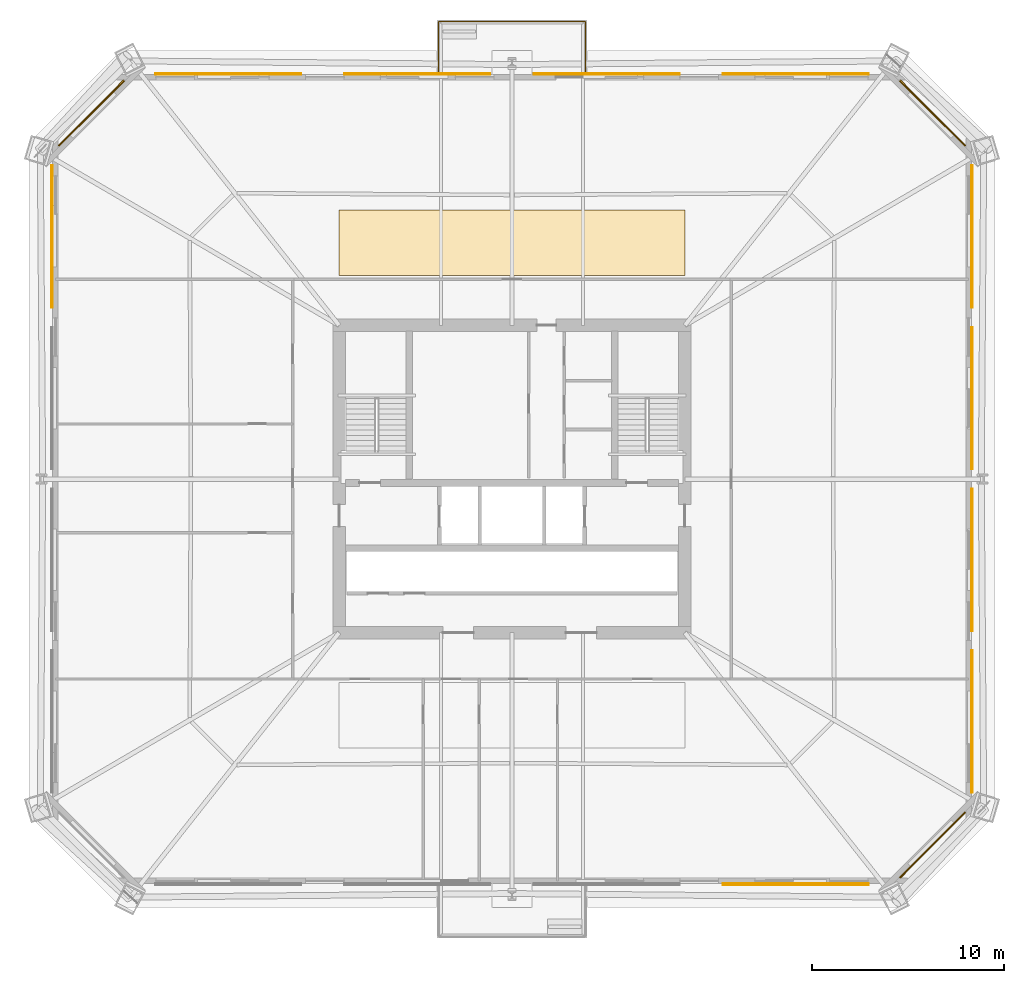
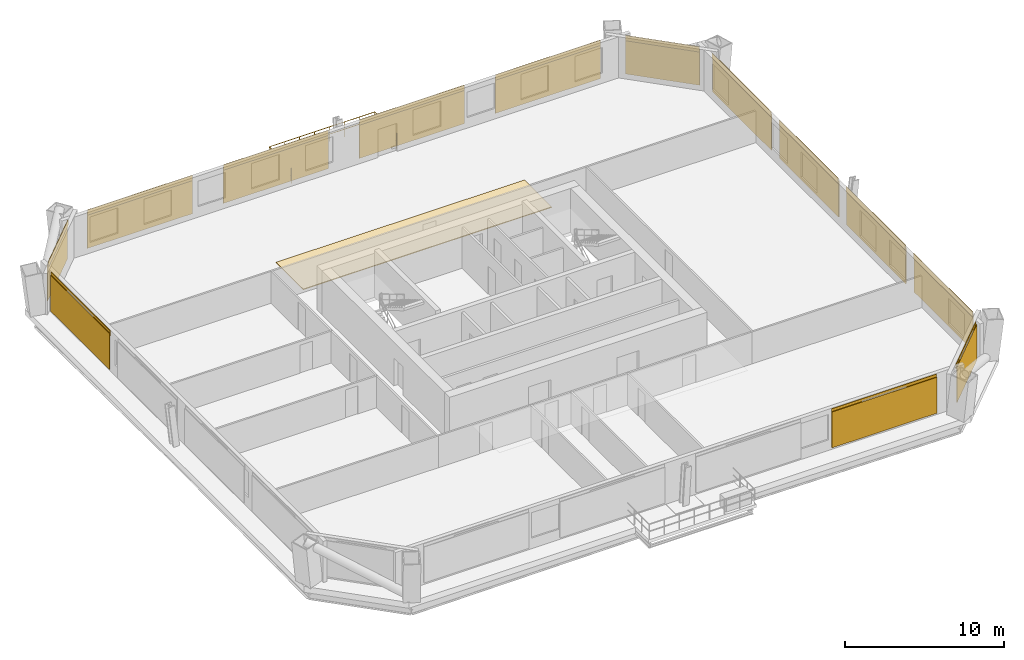
# One storey, part 8 of 8: 14 coverings, 13 shading devices, 1 railing.
"""IFC4 building model written with IfcOpenShell, lengths in metres."""

import ifcopenshell
import ifcopenshell.guid

model = None  # the IFC model being written
_history = None  # IfcOwnerHistory: only IFC2X3 demands one
_inside = {}  # id of a spatial element -> (the spatial element, [elements in it])
_under = {}  # id of a project, library or spatial element -> (it, [spatial elements below it])
_declared = {}  # id of a project -> (the project, [libraries it declares])
_typed = {}  # id of a type object -> (the type object, [elements of that type])
_made_of = {}  # id of a material, layer set ... -> (it, [elements and type objects made of it])


def new_model(schema):
    """Start an empty IFC model of exactly this schema.

    Asked for "IFC4X3", IfcOpenShell would pick the latest addendum, in which some entities
    have other attributes; the version numbers below select the first issue.
    IFC2X3 requires an IfcOwnerHistory on every rooted entity: one is made here for all.
    """
    global model, _history
    if schema == "IFC4X3":
        model = ifcopenshell.file(schema_version=(4, 3, 0, 0))
    else:
        model = ifcopenshell.file(schema=schema)
    _inside.clear()
    _under.clear()
    _declared.clear()
    _typed.clear()
    _made_of.clear()
    _history = None
    if model.schema == "IFC2X3":
        org = make("IfcOrganization", Name="unknown")
        user = make(
            "IfcPersonAndOrganization",
            ThePerson=make("IfcPerson", FamilyName="unknown"),
            TheOrganization=org,
        )
        app = make(
            "IfcApplication",
            ApplicationDeveloper=org,
            Version="unknown",
            ApplicationFullName="unknown",
            ApplicationIdentifier="unknown",
        )
        _history = make(
            "IfcOwnerHistory",
            OwningUser=user,
            OwningApplication=app,
            ChangeAction="ADDED",
            CreationDate=0,
        )
    return model


def make(cls, **values):
    """One entity of the class cls with the attributes given. An attribute that is None is left unset."""
    return model.create_entity(
        cls, **{name: value for name, value in values.items() if value is not None}
    )


def rooted(cls, **values):
    """An entity with a GlobalId (a new one), such as an element, a storey or a relation."""
    return make(cls, GlobalId=ifcopenshell.guid.new(), OwnerHistory=_history, **values)


def si_unit(unit_type, name, prefix=None):
    """IfcSIUnit, for example si_unit("LENGTHUNIT", "METRE", prefix="MILLI")."""
    return make("IfcSIUnit", UnitType=unit_type, Prefix=prefix, Name=name)


def assignment(units):
    """IfcUnitAssignment: the units of a project."""
    return None if units is None else make("IfcUnitAssignment", Units=units)


def point(xyz):
    """IfcCartesianPoint."""
    return None if xyz is None else make("IfcCartesianPoint", Coordinates=xyz)


def direction(xyz):
    """IfcDirection."""
    return None if xyz is None else make("IfcDirection", DirectionRatios=xyz)


def frame(location, z_axis=None, x_axis=None):
    """IfcAxis2Placement3D, a coordinate frame: its origin and axes. An axis left out is left unset."""
    return make(
        "IfcAxis2Placement3D",
        Location=point(location),
        Axis=direction(z_axis),
        RefDirection=direction(x_axis),
    )


def frame_2d(location, x_axis=None):
    """IfcAxis2Placement2D, a coordinate frame in the plane: its origin and x axis."""
    return make(
        "IfcAxis2Placement2D", Location=point(location), RefDirection=direction(x_axis)
    )


def origin():
    """The frame at (0, 0, 0) with its axes left unset."""
    return frame((0.0, 0.0, 0.0))


def origin_2d():
    """The frame at (0, 0) in the plane with its x axis left unset."""
    return frame_2d((0.0, 0.0))


def place(relative_to, where):
    """IfcLocalPlacement: puts the frame where relative to a parent placement (None: the world)."""
    return make(
        "IfcLocalPlacement", PlacementRelTo=relative_to, RelativePlacement=where
    )


def context(
    kind, dimensions, precision=None, world=None, true_north=None, identifier=None
):
    """IfcGeometricRepresentationContext, for example the 3D "Model" context."""
    return make(
        "IfcGeometricRepresentationContext",
        ContextIdentifier=identifier,
        ContextType=kind,
        CoordinateSpaceDimension=dimensions,
        Precision=precision,
        WorldCoordinateSystem=world,
        TrueNorth=true_north,
    )


def subcontext(parent, identifier, kind, view, scale=None):
    """IfcGeometricRepresentationSubContext, for example "Body" below "Model"."""
    return make(
        "IfcGeometricRepresentationSubContext",
        ContextIdentifier=identifier,
        ContextType=kind,
        ParentContext=parent,
        TargetScale=scale,
        TargetView=view,
    )


def project(units=None, contexts=None):
    """IfcProject with its units and contexts."""
    return rooted(
        "IfcProject",
        Name="project",
        RepresentationContexts=contexts,
        UnitsInContext=assignment(units),
    )


def spatial(cls, under=None, at=None, **own):
    """A site, building, storey or space (cls), placed at a placement, below another one or the project."""
    s = rooted(cls, ObjectPlacement=at, **own)
    if under is not None:
        _under.setdefault(under.id(), (under, []))[1].append(s)
    return s


def polyline(points):
    """IfcPolyline through the points."""
    return make("IfcPolyline", Points=[point(p) for p in points])


def profile(cls, at=None, kind="AREA", **sizes):
    """A parametric profile (cls). Its sizes go by their IFC names, for example OverallWidth=200.0."""
    return make(cls, ProfileType=kind, Position=at, **sizes)


def rectangle(**sizes):
    """IfcRectangleProfileDef."""
    return profile("IfcRectangleProfileDef", **sizes)


def circle(**sizes):
    """IfcCircleProfileDef."""
    return profile("IfcCircleProfileDef", **sizes)


def outline(outer, holes=None, kind="AREA"):
    """IfcArbitraryClosedProfileDef: a profile drawn as a closed curve; with holes, ...WithVoids."""
    if holes is None:
        return make("IfcArbitraryClosedProfileDef", ProfileType=kind, OuterCurve=outer)
    return make(
        "IfcArbitraryProfileDefWithVoids",
        ProfileType=kind,
        OuterCurve=outer,
        InnerCurves=holes,
    )


def extrude(swept, where, along, depth):
    """IfcExtrudedAreaSolid: the profile swept, set in the frame where, extruded along a direction by depth."""
    return make(
        "IfcExtrudedAreaSolid",
        SweptArea=swept,
        Position=where,
        ExtrudedDirection=direction(along),
        Depth=depth,
    )


def shape(context_of_items, identifier, shape_type, items):
    """IfcShapeRepresentation: the items that make up one representation, for example the "Body"."""
    return make(
        "IfcShapeRepresentation",
        ContextOfItems=context_of_items,
        RepresentationIdentifier=identifier,
        RepresentationType=shape_type,
        Items=items,
    )


def material(Name=None, Category=None):
    """IfcMaterial."""
    return make("IfcMaterial", Name=Name, Category=Category)


def layer(
    of_material, thickness, ventilated=None, Name=None, Category=None, Priority=None
):
    """IfcMaterialLayer: one layer of a wall or slab, of a material (None: an air gap)."""
    return make(
        "IfcMaterialLayer",
        Material=of_material,
        LayerThickness=thickness,
        IsVentilated=ventilated,
        Name=Name,
        Category=Category,
        Priority=Priority,
    )


def layer_set(layers, Name=None):
    """IfcMaterialLayerSet."""
    return make("IfcMaterialLayerSet", MaterialLayers=layers, LayerSetName=Name)


def made_of(thing, what):
    """Note that an element or type object is made of a material, layer set ...; save() writes the relation."""
    if what is not None:
        _made_of.setdefault(what.id(), (what, []))[1].append(thing)
    return thing


def type_object(cls, material=None, **own):
    """A type object (cls), such as IfcWallType, which elements share."""
    return made_of(rooted(cls, **own), material)


def element(
    cls,
    number,
    at=None,
    inside=None,
    cuts=None,
    type_object=None,
    material=None,
    context=None,
    identifier="Body",
    shape_type=None,
    held_by="IfcProductDefinitionShape",
    body=None,
    shapes=None,
    **own,
):
    """One element of the class cls, such as IfcWall. Its Tag is "e" and its number.

    at: its placement. inside: the storey or other place that contains it. cuts: it is an
    opening in that element (IfcRelVoidsElement). A single representation is given by context,
    identifier, shape_type and body (its items); several are given by shapes. held_by: the class
    of the entity that holds the representations. save() writes the other relations.
    """
    e = rooted(cls, Tag="e%d" % number, ObjectPlacement=at, **own)
    if body is not None:
        shapes = [shape(context, identifier, shape_type, body)]
    if shapes is not None:
        e.Representation = make(held_by, Representations=shapes)
    if inside is not None:
        _inside.setdefault(inside.id(), (inside, []))[1].append(e)
    if cuts is not None:
        rooted(
            "IfcRelVoidsElement", RelatingBuildingElement=cuts, RelatedOpeningElement=e
        )
    if type_object is not None:
        _typed.setdefault(type_object.id(), (type_object, []))[1].append(e)
    return made_of(e, material)


def aggregate(whole, parts):
    """IfcRelAggregates: a whole, such as a stair, and the parts it consists of."""
    return rooted("IfcRelAggregates", RelatingObject=whole, RelatedObjects=parts)


def save(model, path):
    """Write the relations noted so far, then the file.

    IfcRelAggregates (storeys below a building ...), IfcRelContainedInSpatialStructure (elements
    in a storey), IfcRelDefinesByType, IfcRelAssociatesMaterial and IfcRelDeclares: one each for
    every whole, place, type object, material and project.
    """
    for whole, parts in _under.values():
        aggregate(whole, parts)
    for where, things in _inside.values():
        rooted(
            "IfcRelContainedInSpatialStructure",
            RelatedElements=things,
            RelatingStructure=where,
        )
    for kind, things in _typed.values():
        rooted("IfcRelDefinesByType", RelatedObjects=things, RelatingType=kind)
    for what, things in _made_of.values():
        rooted("IfcRelAssociatesMaterial", RelatedObjects=things, RelatingMaterial=what)
    for by, libraries in _declared.values():
        rooted("IfcRelDeclares", RelatingContext=by, RelatedDefinitions=libraries)
    model.write(path)


model = new_model("IFC4")

# Units and contexts
model_context = context("Model", 3, precision=1e-05, world=origin(), true_north=direction((0.0, 1.0)))
body_context = subcontext(model_context, "Body", "Model", "MODEL_VIEW")
ifc_project = project(units=[si_unit("LENGTHUNIT", "METRE"), si_unit("AREAUNIT", "SQUARE_METRE"), si_unit("VOLUMEUNIT", "CUBIC_METRE"), si_unit("PLANEANGLEUNIT", "RADIAN"), si_unit("MASSUNIT", "GRAM", prefix="KILO")], contexts=[model_context])

# Site, building, storey
site_placement = place(None, origin())
site = spatial("IfcSite", under=ifc_project, at=site_placement, CompositionType="ELEMENT")
building_placement = place(site_placement, origin())
building = spatial("IfcBuilding", under=site, at=building_placement, Name="Caelvoria Tower", CompositionType="ELEMENT")
storey_placement = place(building_placement, frame((0.0, 0.0, 46.0)))
storey = spatial("IfcBuildingStorey", under=building, at=storey_placement, Name="L11", CompositionType="ELEMENT", Elevation=46.0)

# Railing
ifc_material_1 = material(Name="Bronze Anodised Aluminium and Stainless Steel", Category="steel")
railing_type = type_object("IfcRailingType", Name="Exterior Terrace and Balcony Guardrail 1150", PredefinedType="GUARDRAIL", material=ifc_material_1)
railing_placement = place(storey_placement, frame((42.179931640625, 53.06005859375, 0.0)))
element("IfcRailing", 1, at=railing_placement, inside=storey, type_object=railing_type, Name="Tree Balcony Guardrail TB-L11-N", PredefinedType="GUARDRAIL", context=body_context, shape_type="SweptSolid", body=[
    extrude(circle(Radius=0.02392578125, at=origin_2d()), frame((0.0, 0.0, 1.1259765625), z_axis=(0.0, 1.0, 0.0), x_axis=(-1.0, 0.0, 0.0)), (0.0, 0.0, 1.0), 2.760009765625),
    extrude(circle(Radius=0.02392578125, at=origin_2d()), frame((0.0, 0.0, 0.574951171875), z_axis=(0.0, 1.0, 0.0), x_axis=(-1.0, 0.0, 0.0)), (0.0, 0.0, 1.0), 2.760009765625),
    extrude(circle(Radius=0.02392578125, at=origin_2d()), frame((0.0, 2.760009765625, 1.1259765625), z_axis=(1.0, 0.0, 0.0), x_axis=(0.0, 1.0, 0.0)), (0.0, 0.0, 1.0), 7.64013671875),
    extrude(circle(Radius=0.02392578125, at=origin_2d()), frame((0.0, 2.760009765625, 0.574951171875), z_axis=(1.0, 0.0, 0.0), x_axis=(0.0, 1.0, 0.0)), (0.0, 0.0, 1.0), 7.64013671875),
    extrude(circle(Radius=0.02392578125, at=origin_2d()), frame((7.64013671875, 2.760009765625, 1.1259765625), z_axis=(0.0, -1.0, 0.0), x_axis=(1.0, 0.0, 0.0)), (0.0, 0.0, 1.0), 2.760009765625),
    extrude(circle(Radius=0.02392578125, at=origin_2d()), frame((7.64013671875, 2.760009765625, 0.574951171875), z_axis=(0.0, -1.0, 0.0), x_axis=(1.0, 0.0, 0.0)), (0.0, 0.0, 1.0), 2.760009765625),
    extrude(circle(Radius=0.02099609375, at=origin_2d()), origin(), (0.0, 0.0, 1.0), 1.101806640625),
    extrude(circle(Radius=0.02099609375, at=origin_2d()), frame((0.0, 0.919921875, 0.0)), (0.0, 0.0, 1.0), 1.101806640625),
    extrude(circle(Radius=0.02099609375, at=origin_2d()), frame((0.0, 1.840087890625, 0.0)), (0.0, 0.0, 1.0), 1.101806640625),
    extrude(circle(Radius=0.02099609375, at=origin_2d()), frame((0.0, 2.760009765625, 0.0)), (0.0, 0.0, 1.0), 1.101806640625),
    extrude(circle(Radius=0.02099609375, at=origin_2d()), frame((1.091552734375, 2.760009765625, 0.0)), (0.0, 0.0, 1.0), 1.101806640625),
    extrude(circle(Radius=0.02099609375, at=origin_2d()), frame((2.182861328125, 2.760009765625, 0.0)), (0.0, 0.0, 1.0), 1.101806640625),
    extrude(circle(Radius=0.02099609375, at=origin_2d()), frame((3.2744140625, 2.760009765625, 0.0)), (0.0, 0.0, 1.0), 1.101806640625),
    extrude(circle(Radius=0.02099609375, at=origin_2d()), frame((4.36572265625, 2.760009765625, 0.0)), (0.0, 0.0, 1.0), 1.101806640625),
    extrude(circle(Radius=0.02099609375, at=origin_2d()), frame((5.457275390625, 2.760009765625, 0.0)), (0.0, 0.0, 1.0), 1.101806640625),
    extrude(circle(Radius=0.02099609375, at=origin_2d()), frame((6.548583984375, 2.760009765625, 0.0)), (0.0, 0.0, 1.0), 1.101806640625),
    extrude(circle(Radius=0.02099609375, at=origin_2d()), frame((7.64013671875, 2.760009765625, 0.0)), (0.0, 0.0, 1.0), 1.101806640625),
    extrude(circle(Radius=0.02099609375, at=origin_2d()), frame((7.64013671875, 1.840087890625, 0.0)), (0.0, 0.0, 1.0), 1.101806640625),
    extrude(circle(Radius=0.02099609375, at=origin_2d()), frame((7.64013671875, 0.919921875, 0.0)), (0.0, 0.0, 1.0), 1.101806640625),
    extrude(circle(Radius=0.02099609375, at=origin_2d()), frame((7.64013671875, 0.0, 0.0)), (0.0, 0.0, 1.0), 1.101806640625),
])

# Coverings
ifc_material_2 = material(Name="Perforated Architectural Bronze Cladding Screen", Category="bronze")
ifc_layer_1 = layer(ifc_material_2, 0.0400390625, Name="Perforated Architectural Bronze Cladding Screen")
ifc_layer_set_1 = layer_set([ifc_layer_1], Name="Perforated Bronze Louvre Cladding Band 40 - Perforated Architectural Bronze Cladding Screen")
covering_type_1 = type_object("IfcCoveringType", Name="Perforated Bronze Louvre Cladding Band 40", PredefinedType="CLADDING", material=ifc_layer_set_1)
covering_1_placement = place(storey_placement, frame((60.767578125, 10.927978515625, 2.72998046875), z_axis=(0.0, 0.0, 1.0), x_axis=(1.0, 0.0, 0.0)))
element("IfcCovering", 2, at=covering_1_placement, inside=storey, type_object=covering_type_1, Name="Perforated Bronze Screen Band L11-E0-03", PredefinedType="CLADDING", context=body_context, shape_type="SweptSolid", body=[
    extrude(rectangle(XDim=7.60009765625, YDim=0.0400390625, at=origin_2d()), origin(), (0.0, 0.0, 1.0), 0.39990234375),
])
covering_2_placement = place(storey_placement, frame((67.881591796875, 12.96826171875, 2.72998046875), z_axis=(0.0, 0.0, 1.0), x_axis=(0.707106781187, 0.707106781187, 0.0)))
element("IfcCovering", 3, at=covering_2_placement, inside=storey, type_object=covering_type_1, Name="Perforated Bronze Screen Band L11-E1-00", PredefinedType="CLADDING", context=body_context, shape_type="SweptSolid", body=[
    extrude(rectangle(XDim=4.81201171875, YDim=0.0400390625, at=origin_2d()), origin(), (0.0, 0.0, 1.0), 0.39990234375),
])
for number, where, z_axis, x_axis, name in (
    (4, (69.922119140625, 19.3701171875, 2.72998046875), (0.0, 0.0, 1.0), (0.0, 1.0, 0.0), "Perforated Bronze Screen Band L11-E2-00"),
    (5, (69.922119140625, 27.7900390625, 2.72998046875), (0.0, 0.0, 1.0), (0.0, 1.0, 0.0), "Perforated Bronze Screen Band L11-E2-01"),
    (6, (69.922119140625, 36.2099609375, 2.72998046875), (0.0, 0.0, 1.0), (0.0, 1.0, 0.0), "Perforated Bronze Screen Band L11-E2-02"),
    (7, (69.922119140625, 44.6298828125, 2.72998046875), (0.0, 0.0, 1.0), (0.0, 1.0, 0.0), "Perforated Bronze Screen Band L11-E2-03"),
):
    element("IfcCovering", number, at=place(storey_placement, frame(where, z_axis=z_axis, x_axis=x_axis)), inside=storey, type_object=covering_type_1, Name=name, PredefinedType="CLADDING", context=body_context, shape_type="SweptSolid", body=[
        extrude(rectangle(XDim=7.40966796875, YDim=0.0400390625, at=origin_2d()), origin(), (0.0, 0.0, 1.0), 0.39990234375),
    ])
covering_3_placement = place(storey_placement, frame((67.881591796875, 51.03173828125, 2.72998046875), z_axis=(0.0, 0.0, 1.0), x_axis=(-0.707106781187, 0.707106781187, 0.0)))
element("IfcCovering", 8, at=covering_3_placement, inside=storey, type_object=covering_type_1, Name="Perforated Bronze Screen Band L11-E3-00", PredefinedType="CLADDING", context=body_context, shape_type="SweptSolid", body=[
    extrude(rectangle(XDim=4.81201171875, YDim=0.0400390625, at=origin_2d()), origin(), (0.0, 0.0, 1.0), 0.39990234375),
])
for number, where, z_axis, x_axis, name in (
    (9, (60.767578125, 53.072021484375, 2.72998046875), (0.0, 0.0, 1.0), (-1.0, 0.0, 0.0), "Perforated Bronze Screen Band L11-E4-00"),
    (10, (50.922607421875, 53.072021484375, 2.72998046875), (0.0, 0.0, 1.0), (-1.0, 0.0, 0.0), "Perforated Bronze Screen Band L11-E4-01"),
    (11, (41.077392578125, 53.072021484375, 2.72998046875), (0.0, 0.0, 1.0), (-1.0, 0.0, 0.0), "Perforated Bronze Screen Band L11-E4-02"),
    (12, (31.232421875, 53.072021484375, 2.72998046875), (0.0, 0.0, 1.0), (-1.0, 0.0, 0.0), "Perforated Bronze Screen Band L11-E4-03"),
):
    element("IfcCovering", number, at=place(storey_placement, frame(where, z_axis=z_axis, x_axis=x_axis)), inside=storey, type_object=covering_type_1, Name=name, PredefinedType="CLADDING", context=body_context, shape_type="SweptSolid", body=[
        extrude(rectangle(XDim=7.60009765625, YDim=0.0400390625, at=origin_2d()), origin(), (0.0, 0.0, 1.0), 0.39990234375),
    ])
covering_4_placement = place(storey_placement, frame((24.118408203125, 51.03173828125, 2.72998046875), z_axis=(0.0, 0.0, 1.0), x_axis=(-0.707106781187, -0.707106781187, 0.0)))
element("IfcCovering", 13, at=covering_4_placement, inside=storey, type_object=covering_type_1, Name="Perforated Bronze Screen Band L11-E5-00", PredefinedType="CLADDING", context=body_context, shape_type="SweptSolid", body=[
    extrude(rectangle(XDim=4.81201171875, YDim=0.0400390625, at=origin_2d()), origin(), (0.0, 0.0, 1.0), 0.39990234375),
])
covering_5_placement = place(storey_placement, frame((22.077880859375, 44.6298828125, 2.72998046875), z_axis=(0.0, 0.0, 1.0), x_axis=(0.0, -1.0, 0.0)))
element("IfcCovering", 14, at=covering_5_placement, inside=storey, type_object=covering_type_1, Name="Perforated Bronze Screen Band L11-E6-00", PredefinedType="CLADDING", context=body_context, shape_type="SweptSolid", body=[
    extrude(rectangle(XDim=7.40966796875, YDim=0.0400390625, at=origin_2d()), origin(), (0.0, 0.0, 1.0), 0.39990234375),
])

# Shading devices
ifc_material_3 = material(Name="Perforated Architectural Bronze Alloy Panel", Category="bronze")
ifc_layer_2 = layer(ifc_material_3, 0.044921875, Name="Perforated Architectural Bronze Alloy Panel")
ifc_layer_set_2 = layer_set([ifc_layer_2], Name="Perforated Bronze Solar Screen Panel SCREEN - Perforated Architectural Bronze Alloy Panel")
shading_device_type = type_object("IfcShadingDeviceType", Name="Perforated Bronze Solar Screen Panel SCREEN", PredefinedType="USERDEFINED", material=ifc_layer_set_2)
shading_device_1_placement = place(storey_placement, frame((60.767578125, 10.885009765625, 0.159912109375), z_axis=(0.0, 0.0, 1.0), x_axis=(1.0, 0.0, 0.0)))
element("IfcShadingDevice", 15, at=shading_device_1_placement, inside=storey, type_object=shading_device_type, Name="Perforated Bronze Solar Screen L11-E0-03", ObjectType="SCREEN", PredefinedType="USERDEFINED", context=body_context, shape_type="SweptSolid", body=[
    extrude(rectangle(XDim=7.60009765625, YDim=0.044921875, at=origin_2d()), origin(), (0.0, 0.0, 1.0), 2.75),
])
shading_device_2_placement = place(storey_placement, frame((67.912109375, 12.93798828125, 0.159912109375), z_axis=(0.0, 0.0, 1.0), x_axis=(0.707106781187, 0.707106781187, 0.0)))
element("IfcShadingDevice", 16, at=shading_device_2_placement, inside=storey, type_object=shading_device_type, Name="Perforated Bronze Solar Screen L11-E1-00", ObjectType="SCREEN", PredefinedType="USERDEFINED", context=body_context, shape_type="SweptSolid", body=[
    extrude(rectangle(XDim=4.81201171875, YDim=0.044921875, at=origin_2d()), origin(), (0.0, 0.0, 1.0), 2.75),
])
for number, where, z_axis, x_axis, name in (
    (17, (69.965087890625, 19.3701171875, 0.159912109375), (0.0, 0.0, 1.0), (0.0, 1.0, 0.0), "Perforated Bronze Solar Screen L11-E2-00"),
    (18, (69.965087890625, 27.7900390625, 0.159912109375), (0.0, 0.0, 1.0), (0.0, 1.0, 0.0), "Perforated Bronze Solar Screen L11-E2-01"),
    (19, (69.965087890625, 36.2099609375, 0.159912109375), (0.0, 0.0, 1.0), (0.0, 1.0, 0.0), "Perforated Bronze Solar Screen L11-E2-02"),
    (20, (69.965087890625, 44.6298828125, 0.159912109375), (0.0, 0.0, 1.0), (0.0, 1.0, 0.0), "Perforated Bronze Solar Screen L11-E2-03"),
):
    element("IfcShadingDevice", number, at=place(storey_placement, frame(where, z_axis=z_axis, x_axis=x_axis)), inside=storey, type_object=shading_device_type, Name=name, ObjectType="SCREEN", PredefinedType="USERDEFINED", context=body_context, shape_type="SweptSolid", body=[
        extrude(rectangle(XDim=7.40966796875, YDim=0.044921875, at=origin_2d()), origin(), (0.0, 0.0, 1.0), 2.75),
    ])
shading_device_3_placement = place(storey_placement, frame((67.912109375, 51.06201171875, 0.159912109375), z_axis=(0.0, 0.0, 1.0), x_axis=(-0.707106781187, 0.707106781187, 0.0)))
element("IfcShadingDevice", 21, at=shading_device_3_placement, inside=storey, type_object=shading_device_type, Name="Perforated Bronze Solar Screen L11-E3-00", ObjectType="SCREEN", PredefinedType="USERDEFINED", context=body_context, shape_type="SweptSolid", body=[
    extrude(rectangle(XDim=4.81201171875, YDim=0.044921875, at=origin_2d()), origin(), (0.0, 0.0, 1.0), 2.75),
])
for number, where, z_axis, x_axis, name in (
    (22, (60.767578125, 53.114990234375, 0.159912109375), (0.0, 0.0, 1.0), (-1.0, 0.0, 0.0), "Perforated Bronze Solar Screen L11-E4-00"),
    (23, (50.922607421875, 53.114990234375, 0.159912109375), (0.0, 0.0, 1.0), (-1.0, 0.0, 0.0), "Perforated Bronze Solar Screen L11-E4-01"),
    (24, (41.077392578125, 53.114990234375, 0.159912109375), (0.0, 0.0, 1.0), (-1.0, 0.0, 0.0), "Perforated Bronze Solar Screen L11-E4-02"),
    (25, (31.232421875, 53.114990234375, 0.159912109375), (0.0, 0.0, 1.0), (-1.0, 0.0, 0.0), "Perforated Bronze Solar Screen L11-E4-03"),
):
    element("IfcShadingDevice", number, at=place(storey_placement, frame(where, z_axis=z_axis, x_axis=x_axis)), inside=storey, type_object=shading_device_type, Name=name, ObjectType="SCREEN", PredefinedType="USERDEFINED", context=body_context, shape_type="SweptSolid", body=[
        extrude(rectangle(XDim=7.60009765625, YDim=0.044921875, at=origin_2d()), origin(), (0.0, 0.0, 1.0), 2.75),
    ])
shading_device_4_placement = place(storey_placement, frame((24.087890625, 51.06201171875, 0.159912109375), z_axis=(0.0, 0.0, 1.0), x_axis=(-0.707106781187, -0.707106781187, 0.0)))
element("IfcShadingDevice", 26, at=shading_device_4_placement, inside=storey, type_object=shading_device_type, Name="Perforated Bronze Solar Screen L11-E5-00", ObjectType="SCREEN", PredefinedType="USERDEFINED", context=body_context, shape_type="SweptSolid", body=[
    extrude(rectangle(XDim=4.81201171875, YDim=0.044921875, at=origin_2d()), origin(), (0.0, 0.0, 1.0), 2.75),
])
shading_device_5_placement = place(storey_placement, frame((22.034912109375, 44.6298828125, 0.159912109375), z_axis=(0.0, 0.0, 1.0), x_axis=(0.0, -1.0, 0.0)))
element("IfcShadingDevice", 27, at=shading_device_5_placement, inside=storey, type_object=shading_device_type, Name="Perforated Bronze Solar Screen L11-E6-00", ObjectType="SCREEN", PredefinedType="USERDEFINED", context=body_context, shape_type="SweptSolid", body=[
    extrude(rectangle(XDim=7.40966796875, YDim=0.044921875, at=origin_2d()), origin(), (0.0, 0.0, 1.0), 2.75),
])

# Covering
ifc_material_4 = material(Name="Calcium-Sulphate Raised Floor Tile", Category="gypsum")
ifc_layer_3 = layer(ifc_material_4, 0.06005859375, Name="Calcium-Sulphate Raised Floor Tile")
ifc_layer_set_3 = layer_set([ifc_layer_3], Name="Raised Access Office Floor System 120 - Calcium-Sulphate Raised Floor Tile")
covering_type_2 = type_object("IfcCoveringType", Name="Raised Access Office Floor System 120", PredefinedType="FLOORING", material=ifc_layer_set_3)
covering_6_placement = place(storey_placement, origin())
element("IfcCovering", 28, at=covering_6_placement, inside=storey, type_object=covering_type_2, Name="Raised Access Flooring L11", PredefinedType="FLOORING", context=body_context, shape_type="SweptSolid", body=[
    extrude(outline(polyline([(37.0, 42.60009765625), (55.0, 42.60009765625), (55.0, 46.0), (37.0, 46.0), (37.0, 42.60009765625)])), origin(), (0.0, 0.0, 1.0), 0.06005859375),
])

save(model, "model.ifc")
